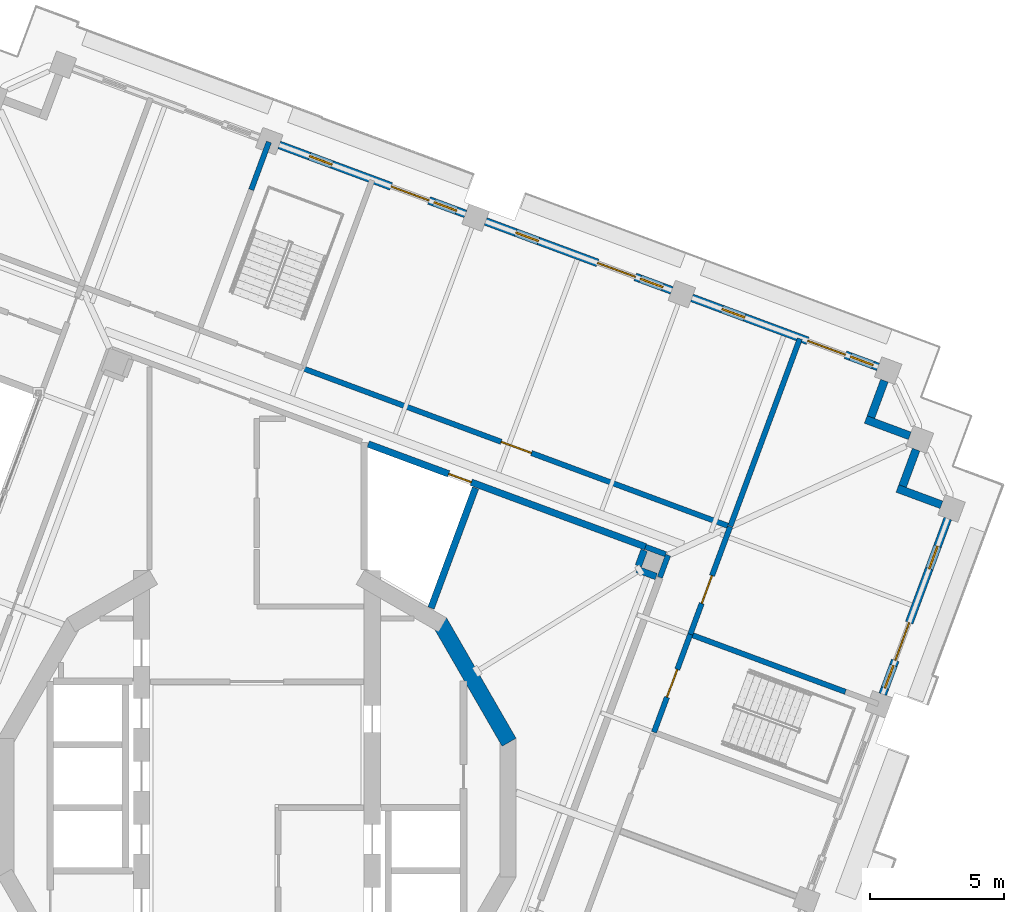
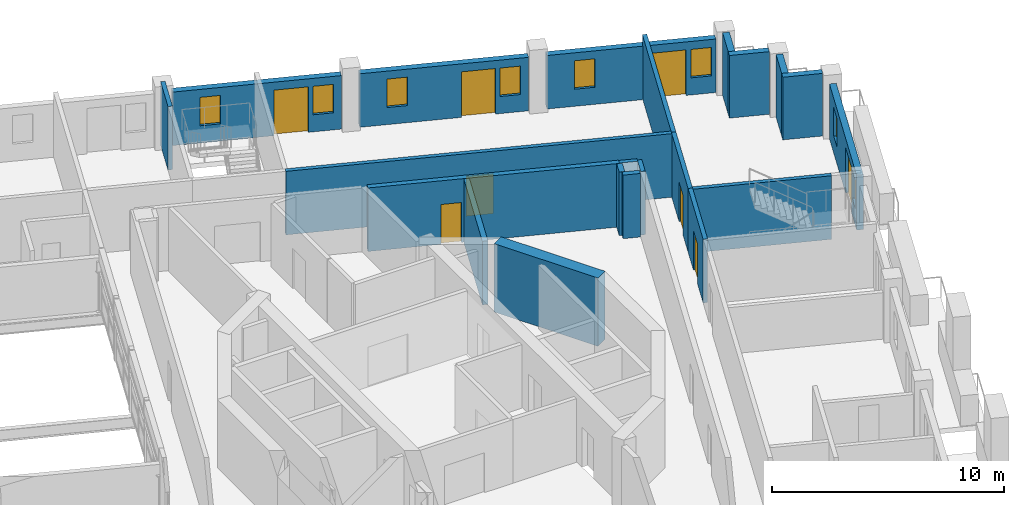
# One storey, part 12 of 20: 21 walls, 8 doors, 8 windows, 16 openings.
"""IFC4 building model written with IfcOpenShell, lengths in metres."""

from ifc_helpers import new_model, si_unit, direction, frame, frame_2d, origin, place, context, subcontext, project, spatial, rectangle, extrude, material, layer, layer_set, type_object, element, fill, save


model = new_model("IFC4")

# Units and contexts
model_context = context("Model", 3, precision=1e-05, world=origin(), true_north=direction((0.0, 1.0)))
body_context = subcontext(model_context, "Body", "Model", "MODEL_VIEW")
ifc_project = project(units=[si_unit("LENGTHUNIT", "METRE"), si_unit("AREAUNIT", "SQUARE_METRE"), si_unit("VOLUMEUNIT", "CUBIC_METRE"), si_unit("PLANEANGLEUNIT", "RADIAN"), si_unit("MASSUNIT", "GRAM", prefix="KILO")], contexts=[model_context])

# Site, building, storey
site_placement = place(None, origin())
site = spatial("IfcSite", under=ifc_project, at=site_placement, CompositionType="ELEMENT")
building_placement = place(site_placement, origin())
building = spatial("IfcBuilding", under=site, at=building_placement, Name="Cantera Rosa Tower", CompositionType="ELEMENT")
storey_placement = place(building_placement, frame((0.0, 0.0, 313.300048828125)))
storey = spatial("IfcBuildingStorey", under=building, at=storey_placement, Name="L69", CompositionType="ELEMENT", Elevation=313.300048828125)

# Walls
ifc_material_1 = material(Name="Gypsum board partition")
ifc_layer_1 = layer(ifc_material_1, 0.199951171875)
ifc_layer_set_1 = layer_set([ifc_layer_1], Name="CORRIDOR WALL 200 H3350")
wall_type_1 = type_object("IfcWallType", Name="CORRIDOR WALL 200 H3350", PredefinedType="PARTITIONING", material=ifc_layer_set_1)
wall_1_placement = place(storey_placement, frame((15.019287109375, 8.586181640625, 0.0), z_axis=(0.0, 0.0, 1.0), x_axis=(0.347684862487, 0.937611452787, 0.0)))
element("IfcWall", 1, at=wall_1_placement, inside=storey, type_object=wall_type_1, Name="CORRIDOR WALL L69-097", PredefinedType="PARTITIONING", context=body_context, shape_type="SweptSolid", body=[
    extrude(rectangle(XDim=0.8798828125, YDim=0.199951171875, at=frame_2d((0.43994140625, 0.0))), origin(), (0.0, 0.0, 1.0), 3.349853515625),
])
wall_2_placement = place(storey_placement, frame((15.2314453125, 9.446044921875, 0.0), z_axis=(0.0, 0.0, 1.0), x_axis=(-0.937664076813, 0.347542916853, 0.0)))
element("IfcWall", 2, at=wall_2_placement, inside=storey, type_object=wall_type_1, Name="CORRIDOR WALL L69-099", PredefinedType="PARTITIONING", context=body_context, shape_type="SweptSolid", body=[
    extrude(rectangle(XDim=0.800048828125, YDim=0.199951171875, at=frame_2d((0.39990234375, 0.0))), origin(), (0.0, 0.0, 1.0), 3.349853515625),
])

# Wall, opening, door
wall_3_placement = place(storey_placement, frame((16.1513671875, 6.460205078125, 0.0), z_axis=(0.0, 0.0, 1.0), x_axis=(0.347438825371, 0.937702651497, 0.0)))
wall_3 = element("IfcWall", 3, at=wall_3_placement, inside=storey, type_object=wall_type_1, Name="CORRIDOR WALL L69-101", PredefinedType="PARTITIONING", context=body_context, shape_type="SweptSolid", body=[
    extrude(rectangle(XDim=4.280029296875, YDim=0.199951171875, at=frame_2d((2.14013671875, 0.0))), origin(), (0.0, 0.0, 1.0), 3.349853515625),
])
opening_1_placement = place(wall_3_placement, frame((1.22998046875, 0.0, 0.0)))
opening_1 = element("IfcOpeningElement", 4, at=opening_1_placement, cuts=wall_3, Name="Opening L69-040", PredefinedType="OPENING", context=body_context, shape_type="SweptSolid", body=[
    extrude(rectangle(XDim=1.10009765625, YDim=2.10009765625, at=frame_2d((0.550048828125, 1.050048828125))), frame((0.0, 0.10986328125, 0.0), z_axis=(0.0, -1.0, 0.0), x_axis=(1.0, 0.0, 0.0)), (0.0, 0.0, 1.0), 0.219970703125),
])
ifc_material_2 = material(Name="Timber door leaf", Category="wood")
door_type_1 = type_object("IfcDoorType", Name="ROOM DOOR 1100x2100", OperationType="NOTDEFINED", PredefinedType="DOOR", material=ifc_material_2)
door_1_placement = place(opening_1_placement, origin())
door_1 = element("IfcDoor", 5, at=door_1_placement, inside=storey, type_object=door_type_1, Name="DOOR L69-040", OperationType="NOTDEFINED", OverallHeight=2.10009765625, OverallWidth=1.10009765625, PredefinedType="DOOR", context=body_context, shape_type="SweptSolid", body=[
    extrude(rectangle(XDim=1.10009765625, YDim=2.10009765625, at=frame_2d((0.550048828125, 1.050048828125))), frame((0.0, 0.02490234375, 0.0), z_axis=(0.0, -1.0, 0.0), x_axis=(1.0, 0.0, 0.0)), (0.0, 0.0, 1.0), 0.050048828125),
])
fill(opening_1, door_1)

wall_4_placement = place(storey_placement, frame((17.544677734375, 10.50830078125, 0.0), z_axis=(0.0, 0.0, 1.0), x_axis=(-0.937684617113, 0.347487494493, 0.0)))
wall_4 = element("IfcWall", 6, at=wall_4_placement, inside=storey, type_object=wall_type_1, Name="CORRIDOR WALL L69-102", PredefinedType="PARTITIONING", context=body_context, shape_type="SweptSolid", body=[
    extrude(rectangle(XDim=16.900146484375, YDim=0.199951171875, at=frame_2d((8.4501953125, 0.0))), origin(), (0.0, 0.0, 1.0), 3.349853515625),
])
opening_2_placement = place(wall_4_placement, frame((7.800048828125, 0.0, 0.0)))
opening_2 = element("IfcOpeningElement", 7, at=opening_2_placement, cuts=wall_4, Name="Opening L69-020", PredefinedType="OPENING", context=body_context, shape_type="SweptSolid", body=[
    extrude(rectangle(XDim=1.199951171875, YDim=2.10009765625, at=frame_2d((0.60009765625, 1.050048828125))), frame((0.0, 0.10986328125, 0.0), z_axis=(0.0, -1.0, 0.0), x_axis=(1.0, 0.0, 0.0)), (0.0, 0.0, 1.0), 0.219970703125),
])
ifc_material_3 = material(Name="Timber door leaf", Category="wood")
door_type_2 = type_object("IfcDoorType", Name="ROOM DOOR 1200x2100", OperationType="NOTDEFINED", PredefinedType="DOOR", material=ifc_material_3)
door_2_placement = place(opening_2_placement, origin())
door_2 = element("IfcDoor", 8, at=door_2_placement, inside=storey, type_object=door_type_2, Name="DOOR L69-020", OperationType="NOTDEFINED", OverallHeight=2.10009765625, OverallWidth=1.199951171875, PredefinedType="DOOR", context=body_context, shape_type="SweptSolid", body=[
    extrude(rectangle(XDim=1.199951171875, YDim=2.10009765625, at=frame_2d((0.60009765625, 1.050048828125))), frame((0.0, 0.02490234375, 0.0), z_axis=(0.0, -1.0, 0.0), x_axis=(1.0, 0.0, 0.0)), (0.0, 0.0, 1.0), 0.050048828125),
])
fill(opening_2, door_2)

# Walls
ifc_material_4 = material(Name="Hollow clay masonry with cantera stone cladding", Category="masonry")
ifc_layer_2 = layer(ifc_material_4, 0.300048828125)
ifc_layer_set_2 = layer_set([ifc_layer_2], Name="EW-LOGGIA 300")
wall_type_2 = type_object("IfcWallType", Name="EW-LOGGIA 300", PredefinedType="SOLIDWALL", material=ifc_layer_set_2)
wall_5_placement = place(storey_placement, frame((25.51220703125, 11.288330078125, 0.0), z_axis=(0.0, 0.0, 1.0), x_axis=(-0.937669639538, 0.34752790836, 0.0)))
element("IfcWall", 9, at=wall_5_placement, inside=storey, type_object=wall_type_2, Name="EN-L69-W25a", PredefinedType="SOLIDWALL", context=body_context, shape_type="SweptSolid", body=[
    extrude(rectangle(XDim=1.75, YDim=0.300048828125, at=frame_2d((0.875, 0.0))), origin(), (0.0, 0.0, 1.0), 3.300048828125),
])
wall_6_placement = place(storey_placement, frame((24.06396484375, 11.985107421875, 0.0), z_axis=(0.0, 0.0, 1.0), x_axis=(0.347522732201, 0.937671557958, 0.0)))
element("IfcWall", 10, at=wall_6_placement, inside=storey, type_object=wall_type_2, Name="EN-L69-W25b", PredefinedType="SOLIDWALL", context=body_context, shape_type="SweptSolid", body=[
    extrude(rectangle(XDim=1.449951171875, YDim=0.300048828125, at=frame_2d((0.72509765625, 0.0))), origin(), (0.0, 0.0, 1.0), 3.300048828125),
])
wall_7_placement = place(storey_placement, frame((24.331787109375, 13.858642578125, 0.0), z_axis=(0.0, 0.0, 1.0), x_axis=(-0.937669639538, 0.34752790836, 0.0)))
element("IfcWall", 11, at=wall_7_placement, inside=storey, type_object=wall_type_2, Name="EN-L69-W26a", PredefinedType="SOLIDWALL", context=body_context, shape_type="SweptSolid", body=[
    extrude(rectangle(XDim=1.75, YDim=0.300048828125, at=frame_2d((0.875, 0.0))), origin(), (0.0, 0.0, 1.0), 3.300048828125),
])
wall_8_placement = place(storey_placement, frame((22.883544921875, 14.555419921875, 0.0), z_axis=(0.0, 0.0, 1.0), x_axis=(0.347522732201, 0.937671557958, 0.0)))
element("IfcWall", 12, at=wall_8_placement, inside=storey, type_object=wall_type_2, Name="EN-L69-W26b", PredefinedType="SOLIDWALL", context=body_context, shape_type="SweptSolid", body=[
    extrude(rectangle(XDim=1.449951171875, YDim=0.300048828125, at=frame_2d((0.72509765625, 0.0))), origin(), (0.0, 0.0, 1.0), 3.300048828125),
])

# Wall, openings, windows, door
ifc_material_5 = material(Name="Hollow clay masonry with cantera stone cladding", Category="masonry")
ifc_layer_3 = layer(ifc_material_5, 0.300048828125)
ifc_layer_set_3 = layer_set([ifc_layer_3], Name="EW-LOGGIA 300 H2820")
wall_type_3 = type_object("IfcWallType", Name="EW-LOGGIA 300 H2820", PredefinedType="SOLIDWALL", material=ifc_layer_set_3)
wall_9_placement = place(storey_placement, frame((23.1513671875, 16.428955078125, 0.0), z_axis=(0.0, 0.0, 1.0), x_axis=(-0.937676706507, 0.347508840281, 0.0)))
wall_9 = element("IfcWall", 13, at=wall_9_placement, inside=storey, type_object=wall_type_3, Name="EN-L69-W01", PredefinedType="SOLIDWALL", context=body_context, shape_type="SweptSolid", body=[
    extrude(rectangle(XDim=7.39990234375, YDim=0.300048828125, at=frame_2d((3.699951171875, 0.0))), origin(), (0.0, 0.0, 1.0), 2.820068359375),
])
opening_3_placement = place(wall_9_placement, frame((0.199951171875, 0.0, 0.89990234375)))
opening_3 = element("IfcOpeningElement", 14, at=opening_3_placement, cuts=wall_9, Name="Opening L69-W01", PredefinedType="OPENING", context=body_context, shape_type="SweptSolid", body=[
    extrude(rectangle(XDim=0.89990234375, YDim=1.5, at=frame_2d((0.449951171875, 0.75))), frame((0.0, 0.159912109375, 0.0), z_axis=(0.0, -1.0, 0.0), x_axis=(1.0, 0.0, 0.0)), (0.0, 0.0, 1.0), 0.320068359375),
])
opening_4_placement = place(wall_9_placement, frame((1.300048828125, 0.0, 0.0)))
opening_4 = element("IfcOpeningElement", 15, at=opening_4_placement, cuts=wall_9, Name="Opening L69-TD02", PredefinedType="OPENING", context=body_context, shape_type="SweptSolid", body=[
    extrude(rectangle(XDim=1.5, YDim=2.39990234375, at=frame_2d((0.75, 1.199951171875))), frame((0.0, 0.159912109375, 0.0), z_axis=(0.0, -1.0, 0.0), x_axis=(1.0, 0.0, 0.0)), (0.0, 0.0, 1.0), 0.320068359375),
])
opening_5_placement = place(wall_9_placement, frame((5.300048828125, 0.0, 0.89990234375)))
opening_5 = element("IfcOpeningElement", 16, at=opening_5_placement, cuts=wall_9, Name="Opening L69-W03", PredefinedType="OPENING", context=body_context, shape_type="SweptSolid", body=[
    extrude(rectangle(XDim=0.89990234375, YDim=1.5, at=frame_2d((0.449951171875, 0.75))), frame((0.0, 0.159912109375, 0.0), z_axis=(0.0, -1.0, 0.0), x_axis=(1.0, 0.0, 0.0)), (0.0, 0.0, 1.0), 0.320068359375),
])
ifc_material_6 = material(Name="Aluminium frame with clear glass", Category="aluminium")
window_type = type_object("IfcWindowType", Name="Residential window 900x1500", PartitioningType="SINGLE_PANEL", PredefinedType="WINDOW", material=ifc_material_6)
window_1_placement = place(opening_3_placement, origin())
window_1 = element("IfcWindow", 17, at=window_1_placement, inside=storey, type_object=window_type, Name="WINDOW L69-W01", OverallHeight=1.5, OverallWidth=0.89990234375, PartitioningType="SINGLE_PANEL", PredefinedType="WINDOW", context=body_context, shape_type="SweptSolid", body=[
    extrude(rectangle(XDim=0.89990234375, YDim=1.5, at=frame_2d((0.449951171875, 0.75))), frame((0.0, 0.030029296875, 0.0), z_axis=(0.0, -1.0, 0.0), x_axis=(1.0, 0.0, 0.0)), (0.0, 0.0, 1.0), 0.06005859375),
])
fill(opening_3, window_1)
window_2_placement = place(opening_5_placement, origin())
window_2 = element("IfcWindow", 18, at=window_2_placement, inside=storey, type_object=window_type, Name="WINDOW L69-W03", OverallHeight=1.5, OverallWidth=0.89990234375, PartitioningType="SINGLE_PANEL", PredefinedType="WINDOW", context=body_context, shape_type="SweptSolid", body=[
    extrude(rectangle(XDim=0.89990234375, YDim=1.5, at=frame_2d((0.449951171875, 0.75))), frame((0.0, 0.030029296875, 0.0), z_axis=(0.0, -1.0, 0.0), x_axis=(1.0, 0.0, 0.0)), (0.0, 0.0, 1.0), 0.06005859375),
])
fill(opening_5, window_2)
ifc_material_7 = material(Name="Aluminium frame with clear glass", Category="aluminium")
door_type_3 = type_object("IfcDoorType", Name="TD-R 1500x2400", OperationType="NOTDEFINED", PredefinedType="DOOR", material=ifc_material_7)
door_3_placement = place(opening_4_placement, origin())
door_3 = element("IfcDoor", 19, at=door_3_placement, inside=storey, type_object=door_type_3, Name="LOGGIA DOOR L69-TD02", OperationType="SLIDING_TO_LEFT", OverallHeight=2.39990234375, OverallWidth=1.5, PredefinedType="DOOR", context=body_context, shape_type="SweptSolid", body=[
    extrude(rectangle(XDim=1.5, YDim=2.39990234375, at=frame_2d((0.75, 1.199951171875))), frame((0.0, 0.02490234375, 0.0), z_axis=(0.0, -1.0, 0.0), x_axis=(1.0, 0.0, 0.0)), (0.0, 0.0, 1.0), 0.050048828125),
])
fill(opening_4, door_3)

wall_10_placement = place(storey_placement, frame((15.46240234375, 19.2783203125, 0.0), z_axis=(0.0, 0.0, 1.0), x_axis=(-0.937680690562, 0.34749808999, 0.0)))
wall_10 = element("IfcWall", 20, at=wall_10_placement, inside=storey, type_object=wall_type_3, Name="EN-L69-W02", PredefinedType="SOLIDWALL", context=body_context, shape_type="SweptSolid", body=[
    extrude(rectangle(XDim=7.400146484375, YDim=0.300048828125, at=frame_2d((3.7001953125, 0.0))), origin(), (0.0, 0.0, 1.0), 2.820068359375),
])
opening_6_placement = place(wall_10_placement, frame((0.35009765625, 0.0, 0.89990234375)))
opening_6 = element("IfcOpeningElement", 21, at=opening_6_placement, cuts=wall_10, Name="Opening L69-W04", PredefinedType="OPENING", context=body_context, shape_type="SweptSolid", body=[
    extrude(rectangle(XDim=0.89990234375, YDim=1.5, at=frame_2d((0.449951171875, 0.75))), frame((0.0, 0.159912109375, 0.0), z_axis=(0.0, -1.0, 0.0), x_axis=(1.0, 0.0, 0.0)), (0.0, 0.0, 1.0), 0.320068359375),
])
opening_7_placement = place(wall_10_placement, frame((1.449951171875, 0.0, 0.0)))
opening_7 = element("IfcOpeningElement", 22, at=opening_7_placement, cuts=wall_10, Name="Opening L69-TD05", PredefinedType="OPENING", context=body_context, shape_type="SweptSolid", body=[
    extrude(rectangle(XDim=1.5, YDim=2.39990234375, at=frame_2d((0.75, 1.199951171875))), frame((0.0, 0.159912109375, 0.0), z_axis=(0.0, -1.0, 0.0), x_axis=(1.0, 0.0, 0.0)), (0.0, 0.0, 1.0), 0.320068359375),
])
opening_8_placement = place(wall_10_placement, frame((5.300048828125, 0.0, 0.89990234375)))
opening_8 = element("IfcOpeningElement", 23, at=opening_8_placement, cuts=wall_10, Name="Opening L69-W06", PredefinedType="OPENING", context=body_context, shape_type="SweptSolid", body=[
    extrude(rectangle(XDim=0.89990234375, YDim=1.5, at=frame_2d((0.449951171875, 0.75))), frame((0.0, 0.159912109375, 0.0), z_axis=(0.0, -1.0, 0.0), x_axis=(1.0, 0.0, 0.0)), (0.0, 0.0, 1.0), 0.320068359375),
])
window_3_placement = place(opening_6_placement, origin())
window_3 = element("IfcWindow", 24, at=window_3_placement, inside=storey, type_object=window_type, Name="WINDOW L69-W04", OverallHeight=1.5, OverallWidth=0.89990234375, PartitioningType="SINGLE_PANEL", PredefinedType="WINDOW", context=body_context, shape_type="SweptSolid", body=[
    extrude(rectangle(XDim=0.89990234375, YDim=1.5, at=frame_2d((0.449951171875, 0.75))), frame((0.0, 0.030029296875, 0.0), z_axis=(0.0, -1.0, 0.0), x_axis=(1.0, 0.0, 0.0)), (0.0, 0.0, 1.0), 0.06005859375),
])
fill(opening_6, window_3)
window_4_placement = place(opening_8_placement, origin())
window_4 = element("IfcWindow", 25, at=window_4_placement, inside=storey, type_object=window_type, Name="WINDOW L69-W06", OverallHeight=1.5, OverallWidth=0.89990234375, PartitioningType="SINGLE_PANEL", PredefinedType="WINDOW", context=body_context, shape_type="SweptSolid", body=[
    extrude(rectangle(XDim=0.89990234375, YDim=1.5, at=frame_2d((0.449951171875, 0.75))), frame((0.0, 0.030029296875, 0.0), z_axis=(0.0, -1.0, 0.0), x_axis=(1.0, 0.0, 0.0)), (0.0, 0.0, 1.0), 0.06005859375),
])
fill(opening_8, window_4)
door_4_placement = place(opening_7_placement, origin())
door_4 = element("IfcDoor", 26, at=door_4_placement, inside=storey, type_object=door_type_3, Name="LOGGIA DOOR L69-TD05", OperationType="SLIDING_TO_LEFT", OverallHeight=2.39990234375, OverallWidth=1.5, PredefinedType="DOOR", context=body_context, shape_type="SweptSolid", body=[
    extrude(rectangle(XDim=1.5, YDim=2.39990234375, at=frame_2d((0.75, 1.199951171875))), frame((0.0, 0.02490234375, 0.0), z_axis=(0.0, -1.0, 0.0), x_axis=(1.0, 0.0, 0.0)), (0.0, 0.0, 1.0), 0.050048828125),
])
fill(opening_7, door_4)

wall_11_placement = place(storey_placement, frame((7.7734375, 22.127685546875, 0.0), z_axis=(0.0, 0.0, 1.0), x_axis=(-0.937680690562, 0.34749808999, 0.0)))
wall_11 = element("IfcWall", 27, at=wall_11_placement, inside=storey, type_object=wall_type_3, Name="EN-L69-W03", PredefinedType="SOLIDWALL", context=body_context, shape_type="SweptSolid", body=[
    extrude(rectangle(XDim=7.400146484375, YDim=0.300048828125, at=frame_2d((3.7001953125, 0.0))), origin(), (0.0, 0.0, 1.0), 2.820068359375),
])
opening_9_placement = place(wall_11_placement, frame((0.35009765625, 0.0, 0.89990234375)))
opening_9 = element("IfcOpeningElement", 28, at=opening_9_placement, cuts=wall_11, Name="Opening L69-W07", PredefinedType="OPENING", context=body_context, shape_type="SweptSolid", body=[
    extrude(rectangle(XDim=0.89990234375, YDim=1.5, at=frame_2d((0.449951171875, 0.75))), frame((0.0, 0.159912109375, 0.0), z_axis=(0.0, -1.0, 0.0), x_axis=(1.0, 0.0, 0.0)), (0.0, 0.0, 1.0), 0.320068359375),
])
opening_10_placement = place(wall_11_placement, frame((1.449951171875, 0.0, 0.0)))
opening_10 = element("IfcOpeningElement", 29, at=opening_10_placement, cuts=wall_11, Name="Opening L69-TD08", PredefinedType="OPENING", context=body_context, shape_type="SweptSolid", body=[
    extrude(rectangle(XDim=1.5, YDim=2.39990234375, at=frame_2d((0.75, 1.199951171875))), frame((0.0, 0.159912109375, 0.0), z_axis=(0.0, -1.0, 0.0), x_axis=(1.0, 0.0, 0.0)), (0.0, 0.0, 1.0), 0.320068359375),
])
opening_11_placement = place(wall_11_placement, frame((5.300048828125, 0.0, 0.89990234375)))
opening_11 = element("IfcOpeningElement", 30, at=opening_11_placement, cuts=wall_11, Name="Opening L69-W09", PredefinedType="OPENING", context=body_context, shape_type="SweptSolid", body=[
    extrude(rectangle(XDim=0.89990234375, YDim=1.5, at=frame_2d((0.449951171875, 0.75))), frame((0.0, 0.159912109375, 0.0), z_axis=(0.0, -1.0, 0.0), x_axis=(1.0, 0.0, 0.0)), (0.0, 0.0, 1.0), 0.320068359375),
])
window_5_placement = place(opening_9_placement, origin())
window_5 = element("IfcWindow", 31, at=window_5_placement, inside=storey, type_object=window_type, Name="WINDOW L69-W07", OverallHeight=1.5, OverallWidth=0.89990234375, PartitioningType="SINGLE_PANEL", PredefinedType="WINDOW", context=body_context, shape_type="SweptSolid", body=[
    extrude(rectangle(XDim=0.89990234375, YDim=1.5, at=frame_2d((0.449951171875, 0.75))), frame((0.0, 0.030029296875, 0.0), z_axis=(0.0, -1.0, 0.0), x_axis=(1.0, 0.0, 0.0)), (0.0, 0.0, 1.0), 0.06005859375),
])
fill(opening_9, window_5)
window_6_placement = place(opening_11_placement, origin())
window_6 = element("IfcWindow", 32, at=window_6_placement, inside=storey, type_object=window_type, Name="WINDOW L69-W09", OverallHeight=1.5, OverallWidth=0.89990234375, PartitioningType="SINGLE_PANEL", PredefinedType="WINDOW", context=body_context, shape_type="SweptSolid", body=[
    extrude(rectangle(XDim=0.89990234375, YDim=1.5, at=frame_2d((0.449951171875, 0.75))), frame((0.0, 0.030029296875, 0.0), z_axis=(0.0, -1.0, 0.0), x_axis=(1.0, 0.0, 0.0)), (0.0, 0.0, 1.0), 0.06005859375),
])
fill(opening_11, window_6)
door_5_placement = place(opening_10_placement, origin())
door_5 = element("IfcDoor", 33, at=door_5_placement, inside=storey, type_object=door_type_3, Name="LOGGIA DOOR L69-TD08", OperationType="SLIDING_TO_LEFT", OverallHeight=2.39990234375, OverallWidth=1.5, PredefinedType="DOOR", context=body_context, shape_type="SweptSolid", body=[
    extrude(rectangle(XDim=1.5, YDim=2.39990234375, at=frame_2d((0.75, 1.199951171875))), frame((0.0, 0.02490234375, 0.0), z_axis=(0.0, -1.0, 0.0), x_axis=(1.0, 0.0, 0.0)), (0.0, 0.0, 1.0), 0.050048828125),
])
fill(opening_10, door_5)

ifc_material_8 = material(Name="Hollow clay masonry with cantera stone cladding", Category="masonry")
ifc_layer_4 = layer(ifc_material_8, 0.300048828125)
ifc_layer_set_4 = layer_set([ifc_layer_4], Name="EW-LOGGIA 300 H2890")
wall_type_4 = type_object("IfcWallType", Name="EW-LOGGIA 300 H2890", PredefinedType="SOLIDWALL", material=ifc_layer_set_4)
wall_12_placement = place(storey_placement, frame((23.322998046875, 4.229248046875, 0.0), z_axis=(0.0, 0.0, 1.0), x_axis=(0.347460165909, 0.937694744097, 0.0)))
wall_12 = element("IfcWall", 34, at=wall_12_placement, inside=storey, type_object=wall_type_4, Name="EN-L69-W24", PredefinedType="SOLIDWALL", context=body_context, shape_type="SweptSolid", body=[
    extrude(rectangle(XDim=6.97998046875, YDim=0.300048828125, at=frame_2d((3.489990234375, 0.0))), origin(), (0.0, 0.0, 1.0), 2.889892578125),
])
opening_12_placement = place(wall_12_placement, frame((0.2451171875, 0.0, 0.89990234375)))
opening_12 = element("IfcOpeningElement", 35, at=opening_12_placement, cuts=wall_12, Name="Opening L69-W46", PredefinedType="OPENING", context=body_context, shape_type="SweptSolid", body=[
    extrude(rectangle(XDim=0.89990234375, YDim=1.5, at=frame_2d((0.449951171875, 0.75))), frame((0.0, 0.159912109375, 0.0), z_axis=(0.0, -1.0, 0.0), x_axis=(1.0, 0.0, 0.0)), (0.0, 0.0, 1.0), 0.320068359375),
])
opening_13_placement = place(wall_12_placement, frame((1.344970703125, 0.0, 0.0)))
opening_13 = element("IfcOpeningElement", 36, at=opening_13_placement, cuts=wall_12, Name="Opening L69-TD47", PredefinedType="OPENING", context=body_context, shape_type="SweptSolid", body=[
    extrude(rectangle(XDim=1.5, YDim=2.39990234375, at=frame_2d((0.75, 1.199951171875))), frame((0.0, 0.159912109375, 0.0), z_axis=(0.0, -1.0, 0.0), x_axis=(1.0, 0.0, 0.0)), (0.0, 0.0, 1.0), 0.320068359375),
])
opening_14_placement = place(wall_12_placement, frame((4.985107421875, 0.0, 0.89990234375)))
opening_14 = element("IfcOpeningElement", 37, at=opening_14_placement, cuts=wall_12, Name="Opening L69-W48", PredefinedType="OPENING", context=body_context, shape_type="SweptSolid", body=[
    extrude(rectangle(XDim=0.89990234375, YDim=1.5, at=frame_2d((0.449951171875, 0.75))), frame((0.0, 0.159912109375, 0.0), z_axis=(0.0, -1.0, 0.0), x_axis=(1.0, 0.0, 0.0)), (0.0, 0.0, 1.0), 0.320068359375),
])
window_7_placement = place(opening_12_placement, origin())
window_7 = element("IfcWindow", 38, at=window_7_placement, inside=storey, type_object=window_type, Name="WINDOW L69-W46", OverallHeight=1.5, OverallWidth=0.89990234375, PartitioningType="SINGLE_PANEL", PredefinedType="WINDOW", context=body_context, shape_type="SweptSolid", body=[
    extrude(rectangle(XDim=0.89990234375, YDim=1.5, at=frame_2d((0.449951171875, 0.75))), frame((0.0, 0.030029296875, 0.0), z_axis=(0.0, -1.0, 0.0), x_axis=(1.0, 0.0, 0.0)), (0.0, 0.0, 1.0), 0.06005859375),
])
fill(opening_12, window_7)
window_8_placement = place(opening_14_placement, origin())
window_8 = element("IfcWindow", 39, at=window_8_placement, inside=storey, type_object=window_type, Name="WINDOW L69-W48", OverallHeight=1.5, OverallWidth=0.89990234375, PartitioningType="SINGLE_PANEL", PredefinedType="WINDOW", context=body_context, shape_type="SweptSolid", body=[
    extrude(rectangle(XDim=0.89990234375, YDim=1.5, at=frame_2d((0.449951171875, 0.75))), frame((0.0, 0.030029296875, 0.0), z_axis=(0.0, -1.0, 0.0), x_axis=(1.0, 0.0, 0.0)), (0.0, 0.0, 1.0), 0.06005859375),
])
fill(opening_14, window_8)
door_6_placement = place(opening_13_placement, origin())
door_6 = element("IfcDoor", 40, at=door_6_placement, inside=storey, type_object=door_type_3, Name="LOGGIA DOOR L69-TD47", OperationType="SLIDING_TO_LEFT", OverallHeight=2.39990234375, OverallWidth=1.5, PredefinedType="DOOR", context=body_context, shape_type="SweptSolid", body=[
    extrude(rectangle(XDim=1.5, YDim=2.39990234375, at=frame_2d((0.75, 1.199951171875))), frame((0.0, 0.02490234375, 0.0), z_axis=(0.0, -1.0, 0.0), x_axis=(1.0, 0.0, 0.0)), (0.0, 0.0, 1.0), 0.050048828125),
])
fill(opening_13, door_6)

# Walls
ifc_material_9 = material(Name="Gypsum board partition")
ifc_layer_5 = layer(ifc_material_9, 0.199951171875)
ifc_layer_set_5 = layer_set([ifc_layer_5], Name="PARTITION 200 H3350")
wall_type_5 = type_object("IfcWallType", Name="PARTITION 200 H3350", PredefinedType="PARTITIONING", material=ifc_layer_set_5)
wall_13_placement = place(storey_placement, frame((20.234130859375, 17.47802734375, 0.0), z_axis=(0.0, 0.0, 1.0), x_axis=(-0.347475519739, -0.937689054635, 0.0)))
element("IfcWall", 41, at=wall_13_placement, inside=storey, type_object=wall_type_5, Name="PARTITION L69-103", PredefinedType="PARTITIONING", context=body_context, shape_type="SweptSolid", body=[
    extrude(rectangle(XDim=7.44970703125, YDim=0.199951171875, at=frame_2d((3.724853515625, 0.0))), origin(), (0.0, 0.0, 1.0), 3.349853515625),
])
ifc_material_10 = material(Name="Concrete C50/60", Category="concrete")
ifc_layer_6 = layer(ifc_material_10, 0.60009765625)
ifc_layer_set_6 = layer_set([ifc_layer_6], Name="RC CORE WALL 600 C50/60")
wall_type_6 = type_object("IfcWallType", Name="RC CORE WALL 600 C50/60", PredefinedType="SHEAR", material=ifc_layer_set_6)
wall_14_placement = place(storey_placement, frame((6.811279296875, 6.921142578125, 0.0), z_axis=(0.0, 0.0, 1.0), x_axis=(0.499989188378, -0.866031645787, 0.0)))
element("IfcWall", 42, at=wall_14_placement, inside=storey, type_object=wall_type_6, Name="CW-E2 L69", PredefinedType="SHEAR", context=body_context, shape_type="SweptSolid", body=[
    extrude(rectangle(XDim=5.17626953125, YDim=0.60009765625, at=frame_2d((2.588134765625, 0.0))), origin(), (0.0, 0.0, 1.0), 3.599853515625),
])
ifc_material_11 = material(Name="Masonry blockwork", Category="masonry")
ifc_layer_7 = layer(ifc_material_11, 0.25)
ifc_layer_set_7 = layer_set([ifc_layer_7], Name="SHAFT WALL 250 H3350")
wall_type_7 = type_object("IfcWallType", Name="SHAFT WALL 250 H3350", PredefinedType="SOLIDWALL", material=ifc_layer_set_7)
wall_15_placement = place(storey_placement, frame((6.489990234375, 7.441162109375, 0.0), z_axis=(0.0, 0.0, 1.0), x_axis=(0.347515955786, 0.937674069426, 0.0)))
element("IfcWall", 43, at=wall_15_placement, inside=storey, type_object=wall_type_7, Name="SHAFT WALL L69-079", PredefinedType="SOLIDWALL", context=body_context, shape_type="SweptSolid", body=[
    extrude(rectangle(XDim=4.772216796875, YDim=0.25, at=frame_2d((2.38623046875, 0.0))), origin(), (0.0, 0.0, 1.0), 3.349853515625),
])
wall_16_placement = place(storey_placement, frame((14.16845703125, 8.8798828125, 0.0), z_axis=(0.0, 0.0, 1.0), x_axis=(0.937760386043, -0.347282965849, 0.0)))
element("IfcWall", 44, at=wall_16_placement, inside=storey, type_object=wall_type_7, Name="SHAFT WALL L69-093", PredefinedType="SOLIDWALL", context=body_context, shape_type="SweptSolid", body=[
    extrude(rectangle(XDim=0.760009765625, YDim=0.25, at=frame_2d((0.3798828125, 0.0))), origin(), (0.0, 0.0, 1.0), 3.349853515625),
])

# Wall, opening, door
wall_17_placement = place(storey_placement, frame((14.481201171875, 9.72412109375, 0.0), z_axis=(0.0, 0.0, 1.0), x_axis=(-0.937690744713, 0.347470958902, 0.0)))
wall_17 = element("IfcWall", 45, at=wall_17_placement, inside=storey, type_object=wall_type_7, Name="SHAFT WALL L69-094", PredefinedType="SOLIDWALL", context=body_context, shape_type="SweptSolid", body=[
    extrude(rectangle(XDim=11.017822265625, YDim=0.25, at=frame_2d((5.5087890625, 0.0))), origin(), (0.0, 0.0, 1.0), 3.349853515625),
])
opening_15_placement = place(wall_17_placement, frame((6.921630859375, 0.0, 0.0)))
opening_15 = element("IfcOpeningElement", 46, at=opening_15_placement, cuts=wall_17, Name="Opening L69-008", PredefinedType="OPENING", context=body_context, shape_type="SweptSolid", body=[
    extrude(rectangle(XDim=0.89990234375, YDim=2.10009765625, at=frame_2d((0.449951171875, 1.050048828125))), frame((0.0, 0.135009765625, 0.0), z_axis=(0.0, -1.0, 0.0), x_axis=(1.0, 0.0, 0.0)), (0.0, 0.0, 1.0), 0.27001953125),
])
ifc_material_12 = material(Name="Timber door leaf", Category="wood")
door_type_4 = type_object("IfcDoorType", Name="SERVICE DOOR 900x2100", OperationType="NOTDEFINED", PredefinedType="DOOR", material=ifc_material_12)
door_7_placement = place(opening_15_placement, origin())
door_7 = element("IfcDoor", 47, at=door_7_placement, inside=storey, type_object=door_type_4, Name="RISER DOOR L69-008", OperationType="NOTDEFINED", OverallHeight=2.10009765625, OverallWidth=0.89990234375, PredefinedType="DOOR", context=body_context, shape_type="SweptSolid", body=[
    extrude(rectangle(XDim=0.89990234375, YDim=2.10009765625, at=frame_2d((0.449951171875, 1.050048828125))), frame((0.0, 0.02490234375, 0.0), z_axis=(0.0, -1.0, 0.0), x_axis=(1.0, 0.0, 0.0)), (0.0, 0.0, 1.0), 0.050048828125),
])
fill(opening_15, door_7)

# Walls
wall_18_placement = place(storey_placement, frame((14.4326171875, 9.5927734375, 0.0), z_axis=(0.0, 0.0, 1.0), x_axis=(-0.347237420636, -0.937777251649, 0.0)))
element("IfcWall", 48, at=wall_18_placement, inside=storey, type_object=wall_type_7, Name="SHAFT WALL L69-095", PredefinedType="SOLIDWALL", context=body_context, shape_type="SweptSolid", body=[
    extrude(rectangle(XDim=0.6201171875, YDim=0.25, at=frame_2d((0.31005859375, 0.0))), origin(), (0.0, 0.0, 1.0), 3.349853515625),
])
ifc_material_13 = material(Name="Concrete C50/60", Category="concrete")
ifc_layer_8 = layer(ifc_material_13, 0.199951171875)
ifc_layer_set_8 = layer_set([ifc_layer_8], Name="STAIR WALL 200 H3350")
wall_type_8 = type_object("IfcWallType", Name="STAIR WALL 200 H3350", PredefinedType="SOLIDWALL", material=ifc_layer_set_8)
wall_19_placement = place(storey_placement, frame((0.448974609375, 24.81005859375, 0.0), z_axis=(0.0, 0.0, 1.0), x_axis=(-0.34743152672, -0.937705355771, 0.0)))
element("IfcWall", 49, at=wall_19_placement, inside=storey, type_object=wall_type_8, Name="STAIR WALL L69-055", PredefinedType="SOLIDWALL", context=body_context, shape_type="SweptSolid", body=[
    extrude(rectangle(XDim=1.900146484375, YDim=0.199951171875, at=frame_2d((0.9501953125, 0.0))), origin(), (0.0, 0.0, 1.0), 3.349853515625),
])

# Wall, opening, door
wall_20_placement = place(storey_placement, frame((16.1513671875, 6.460205078125, 0.0), z_axis=(0.0, 0.0, 1.0), x_axis=(-0.347516717491, -0.937673787126, 0.0)))
wall_20 = element("IfcWall", 50, at=wall_20_placement, inside=storey, type_object=wall_type_8, Name="STAIR WALL L69-100", PredefinedType="SOLIDWALL", context=body_context, shape_type="SweptSolid", body=[
    extrude(rectangle(XDim=3.889892578125, YDim=0.199951171875, at=frame_2d((1.94482421875, 0.0))), origin(), (0.0, 0.0, 1.0), 3.349853515625),
])
opening_16_placement = place(wall_20_placement, frame((1.39501953125, 0.0, 0.0)))
opening_16 = element("IfcOpeningElement", 51, at=opening_16_placement, cuts=wall_20, Name="Opening L69-001", PredefinedType="OPENING", context=body_context, shape_type="SweptSolid", body=[
    extrude(rectangle(XDim=1.10009765625, YDim=2.10009765625, at=frame_2d((0.550048828125, 1.050048828125))), frame((0.0, 0.10986328125, 0.0), z_axis=(0.0, -1.0, 0.0), x_axis=(1.0, 0.0, 0.0)), (0.0, 0.0, 1.0), 0.219970703125),
])
ifc_material_14 = material(Name="Steel S355J2 (EN 10025-2)", Category="steel")
door_type_5 = type_object("IfcDoorType", Name="STAIR DOOR 1100x2100", OperationType="NOTDEFINED", PredefinedType="DOOR", material=ifc_material_14)
door_8_placement = place(opening_16_placement, origin())
door_8 = element("IfcDoor", 52, at=door_8_placement, inside=storey, type_object=door_type_5, Name="DOOR L69-001", OperationType="NOTDEFINED", OverallHeight=2.10009765625, OverallWidth=1.10009765625, PredefinedType="DOOR", context=body_context, shape_type="SweptSolid", body=[
    extrude(rectangle(XDim=1.10009765625, YDim=2.10009765625, at=frame_2d((0.550048828125, 1.050048828125))), frame((0.0, 0.02490234375, 0.0), z_axis=(0.0, -1.0, 0.0), x_axis=(1.0, 0.0, 0.0)), (0.0, 0.0, 1.0), 0.050048828125),
])
fill(opening_16, door_8)

# Wall
wall_21_placement = place(storey_placement, frame((21.936767578125, 4.31640625, 0.0), z_axis=(0.0, 0.0, 1.0), x_axis=(-0.937692901762, 0.347465137797, 0.0)))
element("IfcWall", 53, at=wall_21_placement, inside=storey, type_object=wall_type_8, Name="STAIR WALL L69-104 J", PredefinedType="SOLIDWALL", context=body_context, shape_type="SweptSolid", body=[
    extrude(rectangle(XDim=6.169921875, YDim=0.199951171875, at=frame_2d((3.0849609375, 0.0))), origin(), (0.0, 0.0, 1.0), 3.349853515625),
])

save(model, "model.ifc")
